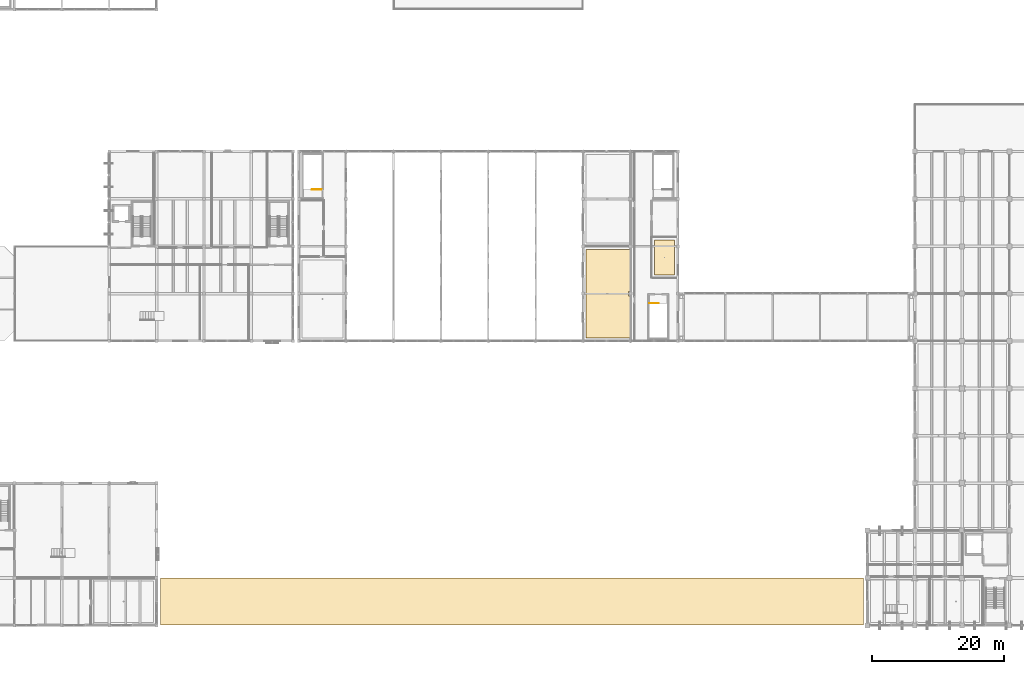
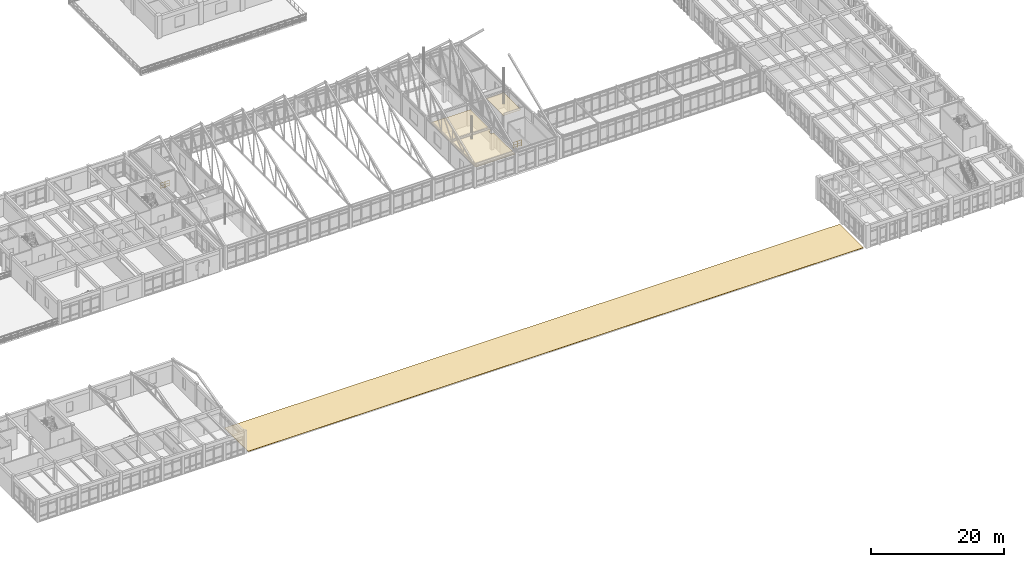
# One storey, part 132 of 136: 3 coverings, 2 railings.
"""IFC4 building model written with IfcOpenShell, lengths in metres."""

from ifc_helpers import new_model, si_unit, direction, frame, origin, origin_2d, place, context, subcontext, project, spatial, polyline, circle, outline, extrude, material, layer, layer_set, type_object, element, save


model = new_model("IFC4")

# Units and contexts
model_context = context("Model", 3, precision=1e-05, world=origin(), true_north=direction((0.0, 1.0)))
body_context = subcontext(model_context, "Body", "Model", "MODEL_VIEW")
ifc_project = project(units=[si_unit("LENGTHUNIT", "METRE"), si_unit("AREAUNIT", "SQUARE_METRE"), si_unit("VOLUMEUNIT", "CUBIC_METRE"), si_unit("PLANEANGLEUNIT", "RADIAN"), si_unit("MASSUNIT", "GRAM", prefix="KILO")], contexts=[model_context])

# Site, building, storey
site_placement = place(None, origin())
site = spatial("IfcSite", under=ifc_project, at=site_placement, CompositionType="ELEMENT")
building_placement = place(site_placement, origin())
building = spatial("IfcBuilding", under=site, at=building_placement, Name="Koriwan Promenade Central Fire Station", CompositionType="ELEMENT")
storey_placement = place(building_placement, frame((0.0, 0.0, 5.39990234375)))
storey = spatial("IfcBuildingStorey", under=building, at=storey_placement, Name="L01", CompositionType="ELEMENT", Elevation=5.39990234375)

# Coverings
ifc_material_1 = material(Name="Mineral-fibre acoustic ceiling tile on suspended grid", Category="ceiling")
ifc_layer_1 = layer(ifc_material_1, 0.02490234375, Name="Mineral-fibre acoustic ceiling tile on suspended grid")
ifc_layer_set_1 = layer_set([ifc_layer_1], Name="Mineral-fibre acoustic ceiling tile on suspended grid")
covering_type_1 = type_object("IfcCoveringType", Name="AcousticCeiling_Tile", PredefinedType="CEILING", material=ifc_layer_set_1)
covering_1_placement = place(storey_placement, frame((0.0, 0.0, 3.080078125)))
element("IfcCovering", 1, at=covering_1_placement, inside=storey, type_object=covering_type_1, Name="Command Incident Simulator Studio suspended acoustic ceiling", PredefinedType="CEILING", context=body_context, shape_type="SweptSolid", body=[
    extrude(outline(polyline([(107.675048828125, 50.074951171875), (108.1298828125, 50.074951171875), (108.1298828125, 43.669921875), (101.27001953125, 43.669921875), (101.27001953125, 57.1298828125), (108.1298828125, 57.1298828125), (108.1298828125, 50.72509765625), (107.675048828125, 50.72509765625), (107.675048828125, 50.074951171875)])), origin(), (0.0, 0.0, 1.0), 0.02490234375),
])
covering_2_placement = place(storey_placement, frame((0.0, 0.0, 3.080078125)))
element("IfcCovering", 2, at=covering_2_placement, inside=storey, type_object=covering_type_1, Name="Pump Hydraulics Training Laboratory suspended acoustic ceiling", PredefinedType="CEILING", context=body_context, shape_type="SweptSolid", body=[
    extrude(outline(polyline([(111.669921875, 58.530029296875), (114.72998046875, 58.530029296875), (114.72998046875, 53.27001953125), (111.669921875, 53.27001953125), (111.669921875, 58.530029296875)])), origin(), (0.0, 0.0, 1.0), 0.02490234375),
])
ifc_material_2 = material(Name="Standing-seam terracotta-red coated aluminium roofing", Category="masonry")
ifc_layer_2 = layer(ifc_material_2, 0.044921875, Name="Standing-seam terracotta-red coated aluminium roofing")
ifc_layer_set_2 = layer_set([ifc_layer_2], Name="Standing-seam terracotta-red coated aluminium roofing")
covering_type_2 = type_object("IfcCoveringType", Name="RoofCovering_Terracotta", PredefinedType="ROOFING", material=ifc_layer_set_2)
covering_3_placement = place(storey_placement, origin())
element("IfcCovering", 3, at=covering_3_placement, inside=storey, type_object=covering_type_2, Name="South Promenade Riwaq Colonnade canopy roof slab standing-seam covering", PredefinedType="ROOFING", context=body_context, shape_type="SweptSolid", body=[
    extrude(outline(polyline([(36.60009765625, 0.0400390625), (143.39990234375, 0.0400390625), (143.39990234375, 7.159912109375), (36.60009765625, 7.159912109375), (36.60009765625, 0.0400390625)])), origin(), (0.0, 0.0, 1.0), 0.045166015625),
])

# Railings
ifc_material_3 = material(Name="Steel ASTM A500 Grade C", Category="steel")
ifc_layer_3 = layer(ifc_material_3, 0.050048828125, Name="Steel ASTM A500 Grade C")
ifc_layer_set_3 = layer_set([ifc_layer_3], Name="Steel ASTM A500 Grade C")
railing_type = type_object("IfcRailingType", Name="StairGuard_1100", PredefinedType="BALUSTRADE", material=ifc_layer_set_3)
railing_1_placement = place(storey_placement, frame((61.10009765625, 66.219970703125, 0.0)))
element("IfcRailing", 4, at=railing_1_placement, inside=storey, type_object=railing_type, Name="L01 ST01 top well guard 1", PredefinedType="BALUSTRADE", context=body_context, shape_type="SweptSolid", body=[
    extrude(circle(Radius=0.02392578125, at=origin_2d()), frame((0.0, 0.0, 1.076171875), z_axis=(-1.0, 0.0, 0.0), x_axis=(0.0, -1.0, 0.0)), (0.0, 0.0, 1.0), 1.47021484375),
    extrude(circle(Radius=0.012939453125, at=origin_2d()), frame((0.0, 0.0, 0.572021484375), z_axis=(-1.0, 0.0, 0.0), x_axis=(0.0, -1.0, 0.0)), (0.0, 0.0, 1.0), 1.47021484375),
    extrude(circle(Radius=0.012939453125, at=origin_2d()), frame((0.0, 0.0, 0.154052734375), z_axis=(-1.0, 0.0, 0.0), x_axis=(0.0, -1.0, 0.0)), (0.0, 0.0, 1.0), 1.47021484375),
    extrude(circle(Radius=0.02099609375, at=origin_2d()), origin(), (0.0, 0.0, 1.0), 1.052001953125),
    extrude(circle(Radius=0.02099609375, at=origin_2d()), frame((-0.735107421875, 0.0, 0.0)), (0.0, 0.0, 1.0), 1.052001953125),
    extrude(circle(Radius=0.02099609375, at=origin_2d()), frame((-1.47021484375, 0.0, 0.0)), (0.0, 0.0, 1.0), 1.052001953125),
])
railing_2_placement = place(storey_placement, frame((110.85009765625, 48.949951171875, 0.0)))
element("IfcRailing", 5, at=railing_2_placement, inside=storey, type_object=railing_type, Name="L01 ST03 top well guard 1", PredefinedType="BALUSTRADE", context=body_context, shape_type="SweptSolid", body=[
    extrude(circle(Radius=0.02392578125, at=origin_2d()), frame((0.0, 0.0, 1.076171875), z_axis=(1.0, 0.0, 0.0), x_axis=(0.0, 1.0, 0.0)), (0.0, 0.0, 1.0), 1.449951171875),
    extrude(circle(Radius=0.012939453125, at=origin_2d()), frame((0.0, 0.0, 0.572021484375), z_axis=(1.0, 0.0, 0.0), x_axis=(0.0, 1.0, 0.0)), (0.0, 0.0, 1.0), 1.449951171875),
    extrude(circle(Radius=0.012939453125, at=origin_2d()), frame((0.0, 0.0, 0.154052734375), z_axis=(1.0, 0.0, 0.0), x_axis=(0.0, 1.0, 0.0)), (0.0, 0.0, 1.0), 1.449951171875),
    extrude(circle(Radius=0.02099609375, at=origin_2d()), origin(), (0.0, 0.0, 1.0), 1.052001953125),
    extrude(circle(Radius=0.02099609375, at=origin_2d()), frame((0.72509765625, 0.0, 0.0)), (0.0, 0.0, 1.0), 1.052001953125),
    extrude(circle(Radius=0.02099609375, at=origin_2d()), frame((1.449951171875, 0.0, 0.0)), (0.0, 0.0, 1.0), 1.052001953125),
])

save(model, "model.ifc")
